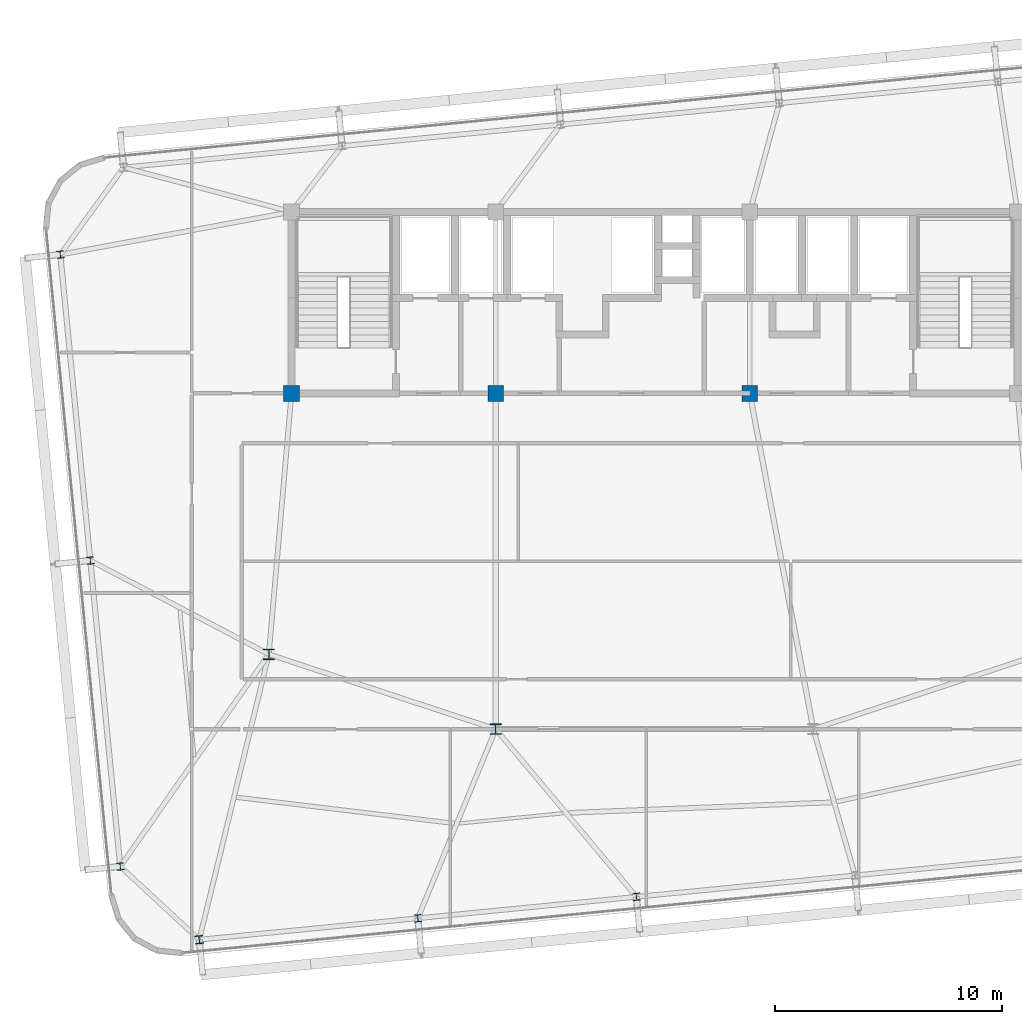
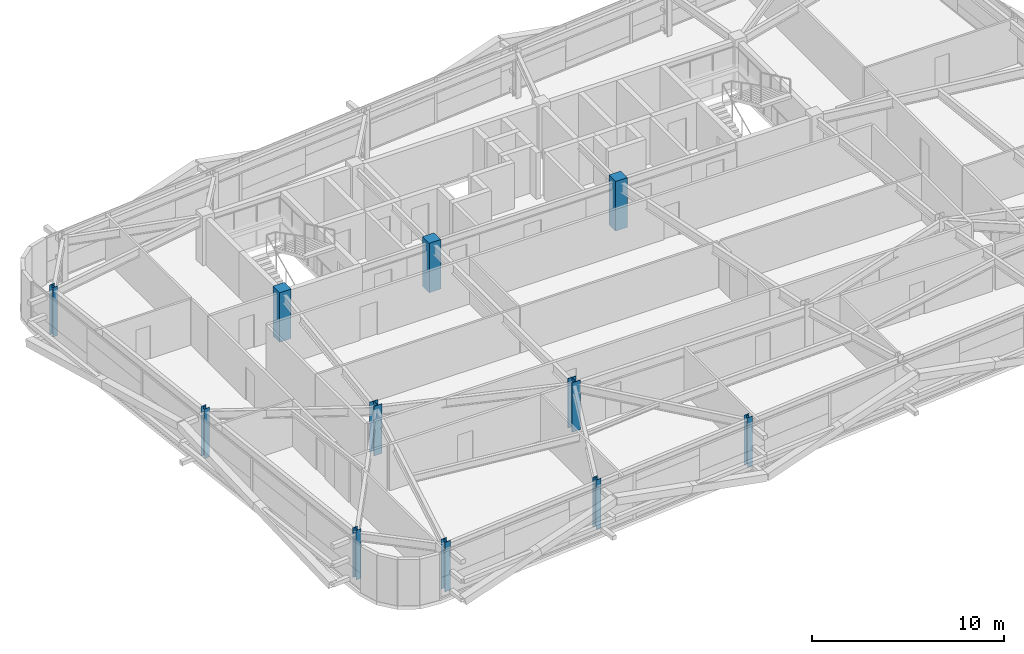
# One storey, part 1 of 47: 11 columns.
"""IFC4 building model written with IfcOpenShell, lengths in metres."""

from ifc_helpers import new_model, si_unit, direction, frame, origin, origin_2d, place, context, subcontext, project, spatial, rectangle, i_section, extrude, source, transform, mapped, material, material_profile, profile_set, type_object, element, save


model = new_model("IFC4")

# Units and contexts
model_context = context("Model", 3, precision=1e-05, world=origin(), true_north=direction((0.0, 1.0)))
body_context = subcontext(model_context, "Body", "Model", "MODEL_VIEW")
ifc_project = project(units=[si_unit("LENGTHUNIT", "METRE"), si_unit("AREAUNIT", "SQUARE_METRE"), si_unit("VOLUMEUNIT", "CUBIC_METRE"), si_unit("PLANEANGLEUNIT", "RADIAN"), si_unit("MASSUNIT", "GRAM", prefix="KILO")], contexts=[model_context])

# Site, building, storey
site_placement = place(None, origin())
site = spatial("IfcSite", under=ifc_project, at=site_placement, CompositionType="ELEMENT")
building_placement = place(site_placement, origin())
building = spatial("IfcBuilding", under=site, at=building_placement, Name="Taldren Reach Tower", CompositionType="ELEMENT")
storey_placement = place(building_placement, frame((0.0, 0.0, 87.14990234375)))
storey = spatial("IfcBuildingStorey", under=building, at=storey_placement, Name="L26", CompositionType="ELEMENT", Elevation=87.14990234375)

# Columns
ifc_material_1 = material(Name="Steel Gr 350 (350PLUS)", Category="steel")
ifc_material_profile_1 = material_profile(ifc_material_1, i_section(OverallWidth=0.5, OverallDepth=0.464111328125, WebThickness=0.02197265625, FlangeThickness=0.033935546875, at=origin_2d()), Name="500WC340")
ifc_profile_set_1 = profile_set([ifc_material_profile_1], Name="Steel Gr 350 (350PLUS)")
column_type_1 = type_object("IfcColumnType", Name="COL-WC500B", PredefinedType="COLUMN", material=ifc_profile_set_1)
shared_shape_1 = source(origin(), body_context, "Body", "SweptSolid", [
    extrude(i_section(OverallWidth=0.5, OverallDepth=0.464111328125, WebThickness=0.02197265625, FlangeThickness=0.033935546875, at=origin_2d()), origin(), (0.0, 0.0, 1.0), 3.150146484375),
])
for number, where, z_axis, x_axis, name in (
    (1, (28.0, 9.199951171875, 0.0), (0.0, 0.0, 1.0), (1.0, 0.0, 0.0), "Mega column MC-PJW L26"),
    (2, (18.0, 12.5, 0.0), (0.0, 0.0, 1.0), (1.0, 0.0, 0.0), "Mega column MC-SW L26"),
):
    element("IfcColumn", number, at=place(storey_placement, frame(where, z_axis=z_axis, x_axis=x_axis)), inside=storey, type_object=column_type_1, Name=name, PredefinedType="COLUMN", context=body_context, shape_type="MappedRepresentation", body=[
        mapped(shared_shape_1, transform((0.0, 0.0, 0.0), scale=1.0)),
    ])
ifc_material_2 = material(Name="Concrete S65 (65 MPa)", Category="concrete")
ifc_material_profile_2 = material_profile(ifc_material_2, rectangle(XDim=0.699951171875, YDim=0.699951171875, at=origin_2d()), Name="RC-700x700")
ifc_profile_set_2 = profile_set([ifc_material_profile_2], Name="Concrete S65 (65 MPa)")
column_type_2 = type_object("IfcColumnType", Name="COL-RC700", PredefinedType="COLUMN", material=ifc_profile_set_2)
shared_shape_2 = source(origin(), body_context, "Body", "SweptSolid", [
    extrude(rectangle(XDim=0.699951171875, YDim=0.699951171875, at=origin_2d()), origin(), (0.0, 0.0, 1.0), 3.150146484375),
])
for number, where, z_axis, x_axis, name in (
    (3, (19.0, 24.0, 0.0), (0.0, 0.0, 1.0), (1.0, 0.0, 0.0), "Mega column MC-C1 L26"),
    (4, (28.0, 24.0, 0.0), (0.0, 0.0, 1.0), (1.0, 0.0, 0.0), "Mega column MC-C2 L26"),
    (5, (39.199951171875, 24.0, 0.0), (0.0, 0.0, 1.0), (1.0, 0.0, 0.0), "Mega column MC-C3 L26"),
):
    element("IfcColumn", number, at=place(storey_placement, frame(where, z_axis=z_axis, x_axis=x_axis)), inside=storey, type_object=column_type_2, Name=name, PredefinedType="COLUMN", context=body_context, shape_type="MappedRepresentation", body=[
        mapped(shared_shape_2, transform((0.0, 0.0, 0.0), scale=1.0)),
    ])
ifc_material_profile_3 = material_profile(ifc_material_1, i_section(OverallWidth=0.35009765625, OverallDepth=0.35595703125, WebThickness=0.01806640625, FlangeThickness=0.028076171875, at=origin_2d()), Name="350WC197")
ifc_profile_set_3 = profile_set([ifc_material_profile_3], Name="Steel Gr 350 (350PLUS)")
column_type_3 = type_object("IfcColumnType", Name="COL-WC350", PredefinedType="COLUMN", material=ifc_profile_set_3)
shared_shape_3 = source(origin(), body_context, "Body", "SweptSolid", [
    extrude(i_section(OverallWidth=0.35009765625, OverallDepth=0.35595703125, WebThickness=0.01806640625, FlangeThickness=0.028076171875, at=origin_2d()), origin(), (0.0, 0.0, 1.0), 3.150146484375),
])
column_placement = place(storey_placement, frame((14.93408203125, -0.079833984375, 0.0), z_axis=(0.0, 0.0, 1.0), x_axis=(0.995227399982, 0.097582899759, 0.0)))
element("IfcColumn", 6, at=column_placement, inside=storey, type_object=column_type_3, Name="Block B2 perimeter column S1 L26", PredefinedType="COLUMN", context=body_context, shape_type="MappedRepresentation", body=[
    mapped(shared_shape_3, transform((0.0, 0.0, 0.0), scale=1.0)),
])
ifc_material_profile_4 = material_profile(ifc_material_1, i_section(OverallWidth=0.306884765625, OverallDepth=0.31494140625, WebThickness=0.011962890625, FlangeThickness=0.018798828125, at=origin_2d()), Name="310UC118")
ifc_profile_set_4 = profile_set([ifc_material_profile_4], Name="Steel Gr 350 (350PLUS)")
column_type_4 = type_object("IfcColumnType", Name="COL-UC310B", PredefinedType="COLUMN", material=ifc_profile_set_4)
shared_shape_4 = source(origin(), body_context, "Body", "SweptSolid", [
    extrude(i_section(OverallWidth=0.306884765625, OverallDepth=0.31494140625, WebThickness=0.011962890625, FlangeThickness=0.018798828125, at=origin_2d()), origin(), (0.0, 0.0, 1.0), 3.150146484375),
])
for number, where, z_axis, x_axis, name in (
    (7, (24.56787109375, 0.86474609375, 0.0), (0.0, 0.0, 1.0), (0.995227399982, 0.097582899759, 0.0), "Block B2 perimeter column S2 L26"),
    (8, (34.20166015625, 1.809326171875, 0.0), (0.0, 0.0, 1.0), (0.995227399982, 0.097582899759, 0.0), "Block B2 perimeter column S3 L26"),
    (9, (11.452880859375, 3.145751953125, 0.0), (0.0, 0.0, 1.0), (0.995227399982, 0.097582899759, 0.0), "Block B2 perimeter column W1 L26"),
    (10, (10.130615234375, 16.631103515625, 0.0), (0.0, 0.0, 1.0), (0.995227399982, 0.097582899759, 0.0), "Block B2 perimeter column W2 L26"),
    (11, (8.808349609375, 30.116455078125, 0.0), (0.0, 0.0, 1.0), (0.995227399982, 0.097582899759, 0.0), "Block B2 perimeter column W3 L26"),
):
    element("IfcColumn", number, at=place(storey_placement, frame(where, z_axis=z_axis, x_axis=x_axis)), inside=storey, type_object=column_type_4, Name=name, PredefinedType="COLUMN", context=body_context, shape_type="MappedRepresentation", body=[
        mapped(shared_shape_4, transform((0.0, 0.0, 0.0), scale=1.0)),
    ])

save(model, "model.ifc")
